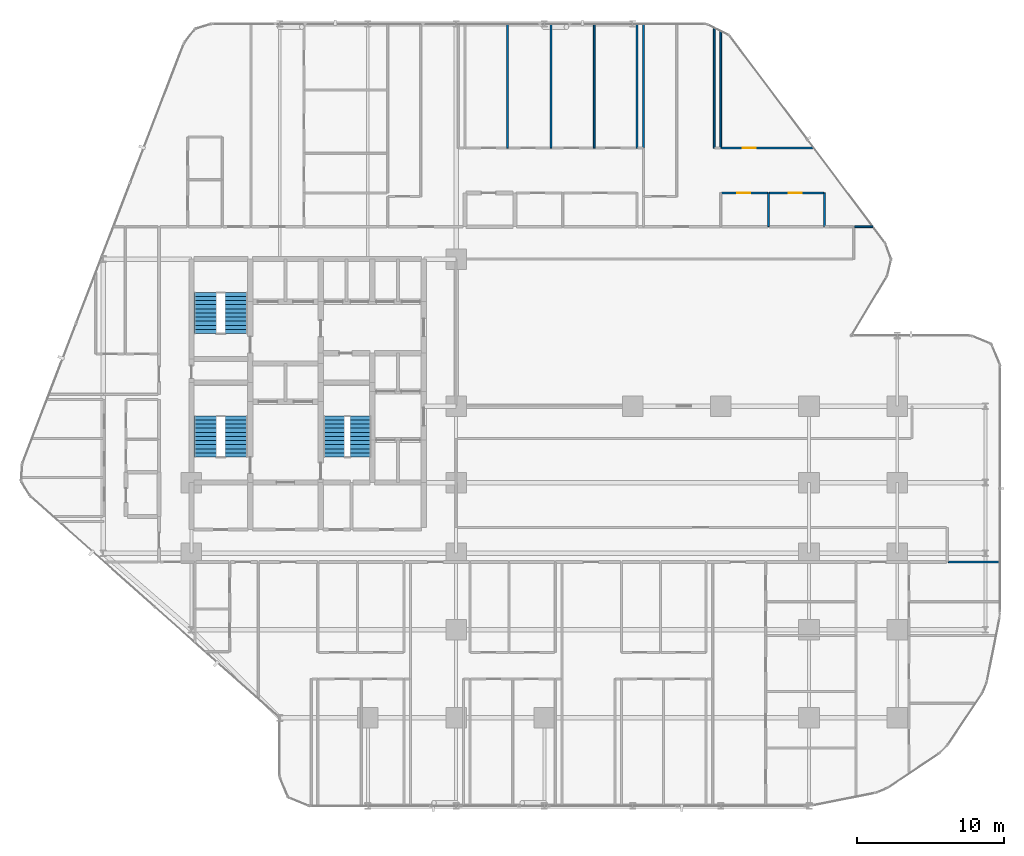
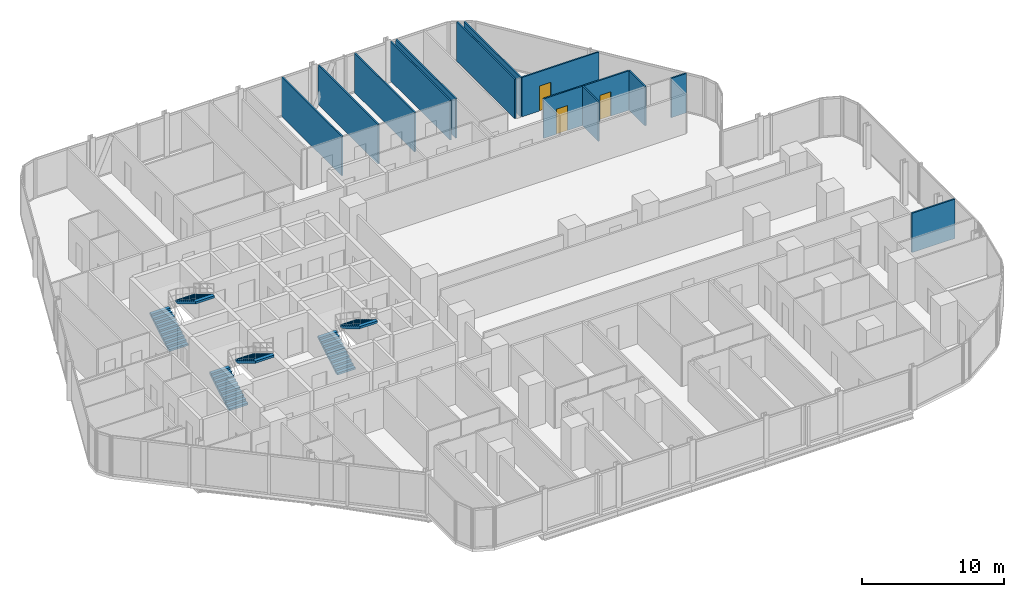
# One storey, part 32 of 34: 14 walls, 6 stair flights, 3 doors, 3 openings, 3 elements without a shape of their own.
"""IFC4 building model written with IfcOpenShell, lengths in metres."""

from ifc_helpers import new_model, si_unit, direction, frame, frame_2d, origin, place, context, subcontext, project, spatial, polyline, rectangle, outline, extrude, material, layer, layer_set, type_object, element, fill, aggregate, save


model = new_model("IFC4")

# Units and contexts
model_context = context("Model", 3, precision=1e-05, world=origin(), true_north=direction((0.0, 1.0)))
body_context = subcontext(model_context, "Body", "Model", "MODEL_VIEW")
ifc_project = project(units=[si_unit("LENGTHUNIT", "METRE"), si_unit("AREAUNIT", "SQUARE_METRE"), si_unit("VOLUMEUNIT", "CUBIC_METRE"), si_unit("PLANEANGLEUNIT", "RADIAN"), si_unit("MASSUNIT", "GRAM", prefix="KILO")], contexts=[model_context])

# Site, building, storey
site_placement = place(None, origin())
site = spatial("IfcSite", under=ifc_project, at=site_placement, CompositionType="ELEMENT")
building_placement = place(site_placement, origin())
building = spatial("IfcBuilding", under=site, at=building_placement, Name="Keshet Zoharim Tower", CompositionType="ELEMENT")
storey_placement = place(building_placement, frame((0.0, 0.0, 31.39990234375)))
storey = spatial("IfcBuildingStorey", under=building, at=storey_placement, Name="L06", CompositionType="ELEMENT", Elevation=31.39990234375)

# Walls
ifc_material_1 = material(Name="Gypsum Plasterboard", Category="gypsum")
ifc_layer_1 = layer(ifc_material_1, 0.1201171875)
ifc_layer_set_1 = layer_set([ifc_layer_1], Name="Gypsum Plasterboard")
wall_type_1 = type_object("IfcWallType", Name="WL-PART-120", PredefinedType="PARTITIONING", material=ifc_layer_set_1)
for number, where, z_axis, x_axis, name in (
    (1, (36.5, 45.449951171875, 0.0), (0.0, 0.0, 1.0), (0.0, 1.0, 0.0), "L06 Interior Wall 080"),
    (2, (39.449951171875, 45.449951171875, 0.0), (0.0, 0.0, 1.0), (0.0, 1.0, 0.0), "L06 Interior Wall 084"),
    (3, (42.39990234375, 45.449951171875, 0.0), (0.0, 0.0, 1.0), (0.0, 1.0, 0.0), "L06 Interior Wall 089"),
    (4, (45.300048828125, 45.449951171875, 0.0), (0.0, 0.0, 1.0), (0.0, 1.0, 0.0), "L06 Interior Wall 094"),
    (5, (45.75, 45.449951171875, 0.0), (0.0, 0.0, 1.0), (0.0, 1.0, 0.0), "L06 Interior Wall 097"),
):
    element("IfcWall", number, at=place(storey_placement, frame(where, z_axis=z_axis, x_axis=x_axis)), inside=storey, type_object=wall_type_1, Name=name, PredefinedType="PARTITIONING", context=body_context, shape_type="SweptSolid", body=[
        extrude(rectangle(XDim=8.43994140625, YDim=0.1201171875, at=frame_2d((4.219970703125, 0.0))), origin(), (0.0, 0.0, 1.0), 3.385009765625),
    ])
wall_1_placement = place(storey_placement, frame((50.550048828125, 45.449951171875, 0.0), z_axis=(0.0, 0.0, 1.0), x_axis=(0.0, 1.0, 0.0)))
element("IfcWall", 6, at=wall_1_placement, inside=storey, type_object=wall_type_1, Name="L06 Interior Wall 104", PredefinedType="PARTITIONING", context=body_context, shape_type="SweptSolid", body=[
    extrude(rectangle(XDim=8.1650390625, YDim=0.1201171875, at=frame_2d((4.08251953125, 0.0))), origin(), (0.0, 0.0, 1.0), 3.385009765625),
])
wall_2_placement = place(storey_placement, frame((51.0, 45.449951171875, 0.0), z_axis=(0.0, 0.0, 1.0), x_axis=(0.0, 1.0, 0.0)))
element("IfcWall", 7, at=wall_2_placement, inside=storey, type_object=wall_type_1, Name="L06 Interior Wall 106", PredefinedType="PARTITIONING", context=body_context, shape_type="SweptSolid", body=[
    extrude(rectangle(XDim=7.93994140625, YDim=0.1201171875, at=frame_2d((3.969970703125, 0.0))), origin(), (0.0, 0.0, 1.0), 3.385009765625),
])
wall_3_placement = place(storey_placement, frame((60.094970703125, 40.10009765625, 0.0), z_axis=(0.0, 0.0, 1.0), x_axis=(1.0, 0.0, 0.0)))
element("IfcWall", 8, at=wall_3_placement, inside=storey, type_object=wall_type_1, Name="L06 Interior Wall 217", PredefinedType="PARTITIONING", context=body_context, shape_type="SweptSolid", body=[
    extrude(rectangle(XDim=1.2451171875, YDim=0.1201171875, at=frame_2d((0.62255859375, 0.0))), origin(), (0.0, 0.0, 1.0), 3.385009765625),
])

# Wall, opening, door
wall_4_placement = place(storey_placement, frame((51.054931640625, 42.39990234375, 0.0), z_axis=(0.0, 0.0, 1.0), x_axis=(1.0, 0.0, 0.0)))
wall_4 = element("IfcWall", 9, at=wall_4_placement, inside=storey, type_object=wall_type_1, Name="L06 Interior Wall 224", PredefinedType="PARTITIONING", context=body_context, shape_type="SweptSolid", body=[
    extrude(rectangle(XDim=3.14306640625, YDim=0.1201171875, at=frame_2d((1.571533203125, 0.0))), origin(), (0.0, 0.0, 1.0), 3.385009765625),
])
opening_1_placement = place(wall_4_placement, frame((1.051025390625, 0.0, 0.0)))
opening_1 = element("IfcOpeningElement", 10, at=opening_1_placement, cuts=wall_4, Name="Opening D-IN90", PredefinedType="OPENING", context=body_context, shape_type="SweptSolid", body=[
    extrude(rectangle(XDim=0.89990234375, YDim=2.14990234375, at=frame_2d((0.449951171875, 1.074951171875))), frame((0.0, 0.070068359375, 0.0), z_axis=(0.0, -1.0, 0.0), x_axis=(1.0, 0.0, 0.0)), (0.0, 0.0, 1.0), 0.14013671875),
])
ifc_material_2 = material(Name="Hardwood Timber", Category="wood")
door_type_1 = type_object("IfcDoorType", Name="DR-INT-090", OperationType="NOTDEFINED", PredefinedType="DOOR", material=ifc_material_2)
door_1_placement = place(opening_1_placement, origin())
door_1 = element("IfcDoor", 11, at=door_1_placement, inside=storey, type_object=door_type_1, Name="Apartment 0610 Kitchen Door", OperationType="SINGLE_SWING_RIGHT", OverallHeight=2.14990234375, OverallWidth=0.89990234375, PredefinedType="DOOR", context=body_context, shape_type="SweptSolid", body=[
    extrude(rectangle(XDim=0.89990234375, YDim=2.14990234375, at=frame_2d((0.449951171875, 1.074951171875))), frame((0.0, 0.02490234375, 0.0), z_axis=(0.0, -1.0, 0.0), x_axis=(1.0, 0.0, 0.0)), (0.0, 0.0, 1.0), 0.050048828125),
])
fill(opening_1, door_1)

wall_5_placement = place(storey_placement, frame((51.054931640625, 45.449951171875, 0.0), z_axis=(0.0, 0.0, 1.0), x_axis=(1.0, 0.0, 0.0)))
wall_5 = element("IfcWall", 12, at=wall_5_placement, inside=storey, type_object=wall_type_1, Name="L06 Interior Wall 232", PredefinedType="PARTITIONING", context=body_context, shape_type="SweptSolid", body=[
    extrude(rectangle(XDim=6.27294921875, YDim=0.1201171875, at=frame_2d((3.136474609375, 0.0))), origin(), (0.0, 0.0, 1.0), 3.385009765625),
])
opening_2_placement = place(wall_5_placement, frame((1.43701171875, 0.0, 0.0)))
opening_2 = element("IfcOpeningElement", 13, at=opening_2_placement, cuts=wall_5, Name="Opening D-IN90", PredefinedType="OPENING", context=body_context, shape_type="SweptSolid", body=[
    extrude(rectangle(XDim=0.89990234375, YDim=2.14990234375, at=frame_2d((0.449951171875, 1.074951171875))), frame((0.0, 0.070068359375, 0.0), z_axis=(0.0, -1.0, 0.0), x_axis=(1.0, 0.0, 0.0)), (0.0, 0.0, 1.0), 0.14013671875),
])
door_2_placement = place(opening_2_placement, origin())
door_2 = element("IfcDoor", 14, at=door_2_placement, inside=storey, type_object=door_type_1, Name="Apartment 0610 Bedroom 1 Door", OperationType="SINGLE_SWING_RIGHT", OverallHeight=2.14990234375, OverallWidth=0.89990234375, PredefinedType="DOOR", context=body_context, shape_type="SweptSolid", body=[
    extrude(rectangle(XDim=0.89990234375, YDim=2.14990234375, at=frame_2d((0.449951171875, 1.074951171875))), frame((0.0, 0.02490234375, 0.0), z_axis=(0.0, -1.0, 0.0), x_axis=(1.0, 0.0, 0.0)), (0.0, 0.0, 1.0), 0.050048828125),
])
fill(opening_2, door_2)

# Walls
ifc_layer_2 = layer(ifc_material_1, 0.1201171875)
ifc_layer_set_2 = layer_set([ifc_layer_2], Name="Gypsum Plasterboard")
wall_type_2 = type_object("IfcWallType", Name="WL-WET-120", PredefinedType="PARTITIONING", material=ifc_layer_set_2)
for number, where, z_axis, x_axis, name in (
    (15, (54.25, 40.10009765625, 0.0), (0.0, 0.0, 1.0), (0.0, 1.0, 0.0), "L06 Interior Wall 110"),
    (16, (58.050048828125, 40.10009765625, 0.0), (0.0, 0.0, 1.0), (0.0, 1.0, 0.0), "L06 Interior Wall 111"),
):
    element("IfcWall", number, at=place(storey_placement, frame(where, z_axis=z_axis, x_axis=x_axis)), inside=storey, type_object=wall_type_2, Name=name, PredefinedType="PARTITIONING", context=body_context, shape_type="SweptSolid", body=[
        extrude(rectangle(XDim=2.2998046875, YDim=0.1201171875, at=frame_2d((1.14990234375, 0.0))), origin(), (0.0, 0.0, 1.0), 3.385009765625),
    ])
wall_6_placement = place(storey_placement, frame((66.469970703125, 17.300048828125, 0.0), z_axis=(0.0, 0.0, 1.0), x_axis=(1.0, 0.0, 0.0)))
element("IfcWall", 17, at=wall_6_placement, inside=storey, type_object=wall_type_2, Name="L06 Interior Wall 162", PredefinedType="PARTITIONING", context=body_context, shape_type="SweptSolid", body=[
    extrude(rectangle(XDim=3.52001953125, YDim=0.1201171875, at=frame_2d((1.760009765625, 0.0))), origin(), (0.0, 0.0, 1.0), 3.385009765625),
])

# Wall, opening, door
wall_7_placement = place(storey_placement, frame((54.2880859375, 42.39990234375, 0.0), z_axis=(0.0, 0.0, 1.0), x_axis=(1.0, 0.0, 0.0)))
wall_7 = element("IfcWall", 18, at=wall_7_placement, inside=storey, type_object=wall_type_2, Name="L06 Interior Wall 225", PredefinedType="PARTITIONING", context=body_context, shape_type="SweptSolid", body=[
    extrude(rectangle(XDim=3.704833984375, YDim=0.1201171875, at=frame_2d((1.8525390625, 0.0))), origin(), (0.0, 0.0, 1.0), 3.385009765625),
])
opening_3_placement = place(wall_7_placement, frame((1.33203125, 0.0, 0.0)))
opening_3 = element("IfcOpeningElement", 19, at=opening_3_placement, cuts=wall_7, Name="Opening D-WT90", PredefinedType="OPENING", context=body_context, shape_type="SweptSolid", body=[
    extrude(rectangle(XDim=0.89990234375, YDim=2.10009765625, at=frame_2d((0.449951171875, 1.050048828125))), frame((0.0, 0.070068359375, 0.0), z_axis=(0.0, -1.0, 0.0), x_axis=(1.0, 0.0, 0.0)), (0.0, 0.0, 1.0), 0.14013671875),
])
door_type_2 = type_object("IfcDoorType", Name="DR-WET-090", OperationType="NOTDEFINED", PredefinedType="DOOR", material=ifc_material_2)
door_3_placement = place(opening_3_placement, origin())
door_3 = element("IfcDoor", 20, at=door_3_placement, inside=storey, type_object=door_type_2, Name="Apartment 0610 Bathroom Door", OperationType="SINGLE_SWING_LEFT", OverallHeight=2.10009765625, OverallWidth=0.89990234375, PredefinedType="DOOR", context=body_context, shape_type="SweptSolid", body=[
    extrude(rectangle(XDim=0.89990234375, YDim=2.10009765625, at=frame_2d((0.449951171875, 1.050048828125))), frame((0.0, 0.02490234375, 0.0), z_axis=(0.0, -1.0, 0.0), x_axis=(1.0, 0.0, 0.0)), (0.0, 0.0, 1.0), 0.050048828125),
])
fill(opening_3, door_3)

# Stair, stair flights
ifc_material_3 = material(Name="Concrete C50/60", Category="concrete")
stair_type = type_object("IfcStairType", Name="STR-EXIT-135", PredefinedType="HALF_TURN_STAIR", material=ifc_material_3)
stair_1_placement = place(storey_placement, origin())
stair_1 = element("IfcStair", 21, at=stair_1_placement, inside=storey, type_object=stair_type, Name="L06 Enclosed Exit Stair ST-01", PredefinedType="HALF_TURN_STAIR")
stair_flight_type_1 = type_object("IfcStairFlightType", Name="FLT-PRE-135", PredefinedType="STRAIGHT", material=ifc_material_3)
stair_flight_1_placement = place(storey_placement, frame((15.945068359375, 24.43994140625, 0.0), z_axis=(0.0, 0.0, 1.0), x_axis=(0.0, 1.0, 0.0)))
stair_flight_1 = element("IfcStairFlight", 22, at=stair_flight_1_placement, type_object=stair_flight_type_1, Name="ST-01 flight 1", NumberOfRisers=11, NumberOfTreads=10, PredefinedType="STRAIGHT", RiserHeight=0.168182, TreadLength=0.28, context=body_context, shape_type="SweptSolid", body=[
    extrude(outline(polyline([(0.0, 0.0), (0.0, 0.168212890625), (0.280029296875, 0.168212890625), (0.280029296875, 0.33642578125), (0.56005859375, 0.33642578125), (0.56005859375, 0.504638671875), (0.840087890625, 0.504638671875), (0.840087890625, 0.672607421875), (1.1201171875, 0.672607421875), (1.1201171875, 0.8408203125), (1.39990234375, 0.8408203125), (1.39990234375, 1.009033203125), (1.679931640625, 1.009033203125), (1.679931640625, 1.17724609375), (1.9599609375, 1.17724609375), (1.9599609375, 1.345458984375), (2.239990234375, 1.345458984375), (2.239990234375, 1.513671875), (2.52001953125, 1.513671875), (2.52001953125, 1.681884765625), (2.800048828125, 1.681884765625), (2.800048828125, 1.85009765625), (2.800048828125, 1.495361328125), (0.310546875, 0.0), (0.0, 0.0)])), frame((0.0, 0.76513671875, 0.0), z_axis=(0.0, -1.0, 0.0), x_axis=(1.0, 0.0, 0.0)), (0.0, 0.0, 1.0), 1.530029296875),
])
stair_flight_2_placement = place(storey_placement, frame((18.054931640625, 27.239990234375, 1.85009765625), z_axis=(0.0, 0.0, 1.0), x_axis=(0.0, -1.0, 0.0)))
stair_flight_2 = element("IfcStairFlight", 23, at=stair_flight_2_placement, type_object=stair_flight_type_1, Name="ST-01 flight 2", NumberOfRisers=11, NumberOfTreads=10, PredefinedType="STRAIGHT", RiserHeight=0.168182, TreadLength=0.28, context=body_context, shape_type="SweptSolid", body=[
    extrude(outline(polyline([(0.0, 0.0), (0.0, 0.168212890625), (0.280029296875, 0.168212890625), (0.280029296875, 0.33642578125), (0.56005859375, 0.33642578125), (0.56005859375, 0.504638671875), (0.840087890625, 0.504638671875), (0.840087890625, 0.672607421875), (1.1201171875, 0.672607421875), (1.1201171875, 0.8408203125), (1.39990234375, 0.8408203125), (1.39990234375, 1.009033203125), (1.679931640625, 1.009033203125), (1.679931640625, 1.17724609375), (1.9599609375, 1.17724609375), (1.9599609375, 1.345458984375), (2.239990234375, 1.345458984375), (2.239990234375, 1.513671875), (2.52001953125, 1.513671875), (2.52001953125, 1.681884765625), (2.800048828125, 1.681884765625), (2.800048828125, 1.85009765625), (2.800048828125, 1.495361328125), (0.310546875, 0.0), (0.0, 0.0)])), frame((0.0, 0.76513671875, 0.0), z_axis=(0.0, -1.0, 0.0), x_axis=(1.0, 0.0, 0.0)), (0.0, 0.0, 1.0), 1.530029296875),
])
aggregate(stair_1, [stair_flight_1, stair_flight_2])

stair_2_placement = place(storey_placement, origin())
stair_2 = element("IfcStair", 24, at=stair_2_placement, inside=storey, type_object=stair_type, Name="L06 Enclosed Exit Stair ST-02", PredefinedType="HALF_TURN_STAIR")
stair_flight_3_placement = place(storey_placement, frame((15.945068359375, 32.840087890625, 0.0), z_axis=(0.0, 0.0, 1.0), x_axis=(0.0, 1.0, 0.0)))
stair_flight_3 = element("IfcStairFlight", 25, at=stair_flight_3_placement, type_object=stair_flight_type_1, Name="ST-02 flight 1", NumberOfRisers=11, NumberOfTreads=10, PredefinedType="STRAIGHT", RiserHeight=0.168182, TreadLength=0.28, context=body_context, shape_type="SweptSolid", body=[
    extrude(outline(polyline([(0.0, 0.0), (0.0, 0.168212890625), (0.280029296875, 0.168212890625), (0.280029296875, 0.33642578125), (0.56005859375, 0.33642578125), (0.56005859375, 0.504638671875), (0.840087890625, 0.504638671875), (0.840087890625, 0.672607421875), (1.1201171875, 0.672607421875), (1.1201171875, 0.8408203125), (1.39990234375, 0.8408203125), (1.39990234375, 1.009033203125), (1.679931640625, 1.009033203125), (1.679931640625, 1.17724609375), (1.9599609375, 1.17724609375), (1.9599609375, 1.345458984375), (2.239990234375, 1.345458984375), (2.239990234375, 1.513671875), (2.52001953125, 1.513671875), (2.52001953125, 1.681884765625), (2.800048828125, 1.681884765625), (2.800048828125, 1.85009765625), (2.800048828125, 1.495361328125), (0.310546875, 0.0), (0.0, 0.0)])), frame((0.0, 0.76513671875, 0.0), z_axis=(0.0, -1.0, 0.0), x_axis=(1.0, 0.0, 0.0)), (0.0, 0.0, 1.0), 1.530029296875),
])
stair_flight_4_placement = place(storey_placement, frame((18.054931640625, 35.639892578125, 1.85009765625), z_axis=(0.0, 0.0, 1.0), x_axis=(0.0, -1.0, 0.0)))
stair_flight_4 = element("IfcStairFlight", 26, at=stair_flight_4_placement, type_object=stair_flight_type_1, Name="ST-02 flight 2", NumberOfRisers=11, NumberOfTreads=10, PredefinedType="STRAIGHT", RiserHeight=0.168182, TreadLength=0.28, context=body_context, shape_type="SweptSolid", body=[
    extrude(outline(polyline([(0.0, 0.0), (0.0, 0.168212890625), (0.280029296875, 0.168212890625), (0.280029296875, 0.33642578125), (0.56005859375, 0.33642578125), (0.56005859375, 0.504638671875), (0.840087890625, 0.504638671875), (0.840087890625, 0.672607421875), (1.1201171875, 0.672607421875), (1.1201171875, 0.8408203125), (1.39990234375, 0.8408203125), (1.39990234375, 1.009033203125), (1.679931640625, 1.009033203125), (1.679931640625, 1.17724609375), (1.9599609375, 1.17724609375), (1.9599609375, 1.345458984375), (2.239990234375, 1.345458984375), (2.239990234375, 1.513671875), (2.52001953125, 1.513671875), (2.52001953125, 1.681884765625), (2.800048828125, 1.681884765625), (2.800048828125, 1.85009765625), (2.800048828125, 1.495361328125), (0.310546875, 0.0), (0.0, 0.0)])), frame((0.0, 0.76513671875, 0.0), z_axis=(0.0, -1.0, 0.0), x_axis=(1.0, 0.0, 0.0)), (0.0, 0.0, 1.0), 1.530029296875),
])
aggregate(stair_2, [stair_flight_3, stair_flight_4])

stair_3_placement = place(storey_placement, origin())
stair_3 = element("IfcStair", 27, at=stair_3_placement, inside=storey, type_object=stair_type, Name="L06 Enclosed Exit Stair ST-03", PredefinedType="HALF_TURN_STAIR")
stair_flight_type_2 = type_object("IfcStairFlightType", Name="FLT-PRE-144", PredefinedType="STRAIGHT", material=ifc_material_3)
stair_flight_5_placement = place(storey_placement, frame((24.699951171875, 24.43994140625, 0.0), z_axis=(0.0, 0.0, 1.0), x_axis=(0.0, 1.0, 0.0)))
stair_flight_5 = element("IfcStairFlight", 28, at=stair_flight_5_placement, type_object=stair_flight_type_2, Name="ST-03 flight 1", NumberOfRisers=11, NumberOfTreads=10, PredefinedType="STRAIGHT", RiserHeight=0.168182, TreadLength=0.28, context=body_context, shape_type="SweptSolid", body=[
    extrude(outline(polyline([(0.0, 0.0), (0.0, 0.168212890625), (0.280029296875, 0.168212890625), (0.280029296875, 0.33642578125), (0.56005859375, 0.33642578125), (0.56005859375, 0.504638671875), (0.840087890625, 0.504638671875), (0.840087890625, 0.672607421875), (1.1201171875, 0.672607421875), (1.1201171875, 0.8408203125), (1.39990234375, 0.8408203125), (1.39990234375, 1.009033203125), (1.679931640625, 1.009033203125), (1.679931640625, 1.17724609375), (1.9599609375, 1.17724609375), (1.9599609375, 1.345458984375), (2.239990234375, 1.345458984375), (2.239990234375, 1.513671875), (2.52001953125, 1.513671875), (2.52001953125, 1.681884765625), (2.800048828125, 1.681884765625), (2.800048828125, 1.85009765625), (2.800048828125, 1.495361328125), (0.310546875, 0.0), (0.0, 0.0)])), frame((0.0, 0.719970703125, 0.0), z_axis=(0.0, -1.0, 0.0), x_axis=(1.0, 0.0, 0.0)), (0.0, 0.0, 1.0), 1.43994140625),
])
stair_flight_6_placement = place(storey_placement, frame((26.5, 27.239990234375, 1.85009765625), z_axis=(0.0, 0.0, 1.0), x_axis=(0.0, -1.0, 0.0)))
stair_flight_6 = element("IfcStairFlight", 29, at=stair_flight_6_placement, type_object=stair_flight_type_2, Name="ST-03 flight 2", NumberOfRisers=11, NumberOfTreads=10, PredefinedType="STRAIGHT", RiserHeight=0.168182, TreadLength=0.28, context=body_context, shape_type="SweptSolid", body=[
    extrude(outline(polyline([(0.0, 0.0), (0.0, 0.168212890625), (0.280029296875, 0.168212890625), (0.280029296875, 0.33642578125), (0.56005859375, 0.33642578125), (0.56005859375, 0.504638671875), (0.840087890625, 0.504638671875), (0.840087890625, 0.672607421875), (1.1201171875, 0.672607421875), (1.1201171875, 0.8408203125), (1.39990234375, 0.8408203125), (1.39990234375, 1.009033203125), (1.679931640625, 1.009033203125), (1.679931640625, 1.17724609375), (1.9599609375, 1.17724609375), (1.9599609375, 1.345458984375), (2.239990234375, 1.345458984375), (2.239990234375, 1.513671875), (2.52001953125, 1.513671875), (2.52001953125, 1.681884765625), (2.800048828125, 1.681884765625), (2.800048828125, 1.85009765625), (2.800048828125, 1.495361328125), (0.310546875, 0.0), (0.0, 0.0)])), frame((0.0, 0.719970703125, 0.0), z_axis=(0.0, -1.0, 0.0), x_axis=(1.0, 0.0, 0.0)), (0.0, 0.0, 1.0), 1.43994140625),
])
aggregate(stair_3, [stair_flight_5, stair_flight_6])

save(model, "model.ifc")
